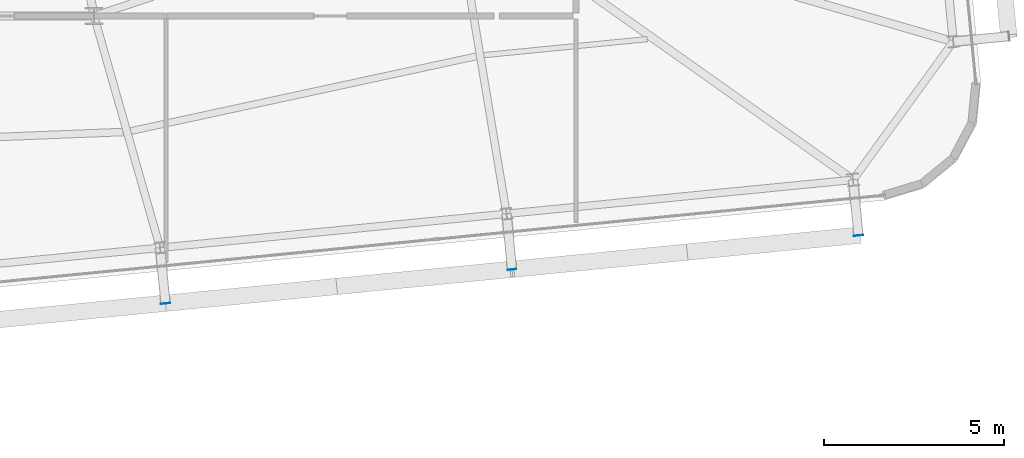
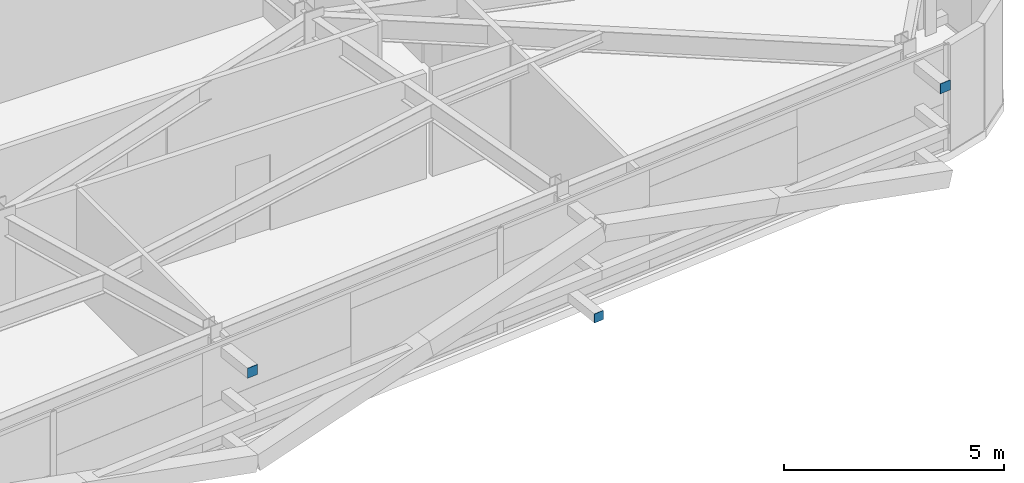
# One storey, part 36 of 47: 3 plates.
"""IFC4 building model written with IfcOpenShell, lengths in metres."""

from ifc_helpers import new_model, si_unit, direction, frame, origin, origin_2d, place, context, subcontext, project, spatial, rectangle, extrude, source, transform, mapped, material, layer, layer_set, type_object, element, save


model = new_model("IFC4")

# Units and contexts
model_context = context("Model", 3, precision=1e-05, world=origin(), true_north=direction((0.0, 1.0)))
body_context = subcontext(model_context, "Body", "Model", "MODEL_VIEW")
ifc_project = project(units=[si_unit("LENGTHUNIT", "METRE"), si_unit("AREAUNIT", "SQUARE_METRE"), si_unit("VOLUMEUNIT", "CUBIC_METRE"), si_unit("PLANEANGLEUNIT", "RADIAN"), si_unit("MASSUNIT", "GRAM", prefix="KILO")], contexts=[model_context])

# Site, building, storey
site_placement = place(None, origin())
site = spatial("IfcSite", under=ifc_project, at=site_placement, CompositionType="ELEMENT")
building_placement = place(site_placement, origin())
building = spatial("IfcBuilding", under=site, at=building_placement, Name="Taldren Reach Tower", CompositionType="ELEMENT")
storey_placement = place(building_placement, frame((0.0, 0.0, 90.300048828125)))
storey = spatial("IfcBuildingStorey", under=building, at=storey_placement, Name="L27", CompositionType="ELEMENT", Elevation=90.300048828125)

# Plates
ifc_material_1 = material(Name="Steel Gr 450 (C450L0)", Category="steel")
ifc_layer_1 = layer(ifc_material_1, 0.011962890625)
ifc_layer_set_1 = layer_set([ifc_layer_1], Name="Steel Gr 450 (C450L0)")
plate_type_1 = type_object("IfcPlateType", Name="PL-CAP-275", PredefinedType="SHEET", material=ifc_layer_set_1)
shared_shape_1 = source(origin(), body_context, "Body", "SweptSolid", [
    extrude(rectangle(XDim=0.27490234375, YDim=0.011962890625, at=origin_2d()), origin(), (0.0, 0.0, 1.0), 0.27490234375),
])
for number, where, z_axis, x_axis, name in (
    (1, (43.9873046875, 1.205322265625, 2.512451171875), (0.0, 0.0, 1.0), (0.995227399982, 0.097582899759, 0.0), "Tie strut end cap plate B2-S4 L27"),
    (2, (63.255126953125, 3.094482421875, 2.512451171875), (0.0, 0.0, 1.0), (0.995227399982, 0.097582899759, 0.0), "Tie strut end cap plate B2-S6 L27"),
):
    element("IfcPlate", number, at=place(storey_placement, frame(where, z_axis=z_axis, x_axis=x_axis)), inside=storey, type_object=plate_type_1, Name=name, PredefinedType="SHEET", context=body_context, shape_type="MappedRepresentation", body=[
        mapped(shared_shape_1, transform((0.0, 0.0, 0.0), scale=1.0)),
    ])
ifc_material_2 = material(Name="Steel Gr 350 (C350L0)", Category="steel")
ifc_layer_2 = layer(ifc_material_2, 0.011962890625)
ifc_layer_set_2 = layer_set([ifc_layer_2], Name="Steel Gr 350 (C350L0)")
plate_type_2 = type_object("IfcPlateType", Name="PL-CAP-250", PredefinedType="SHEET", material=ifc_layer_set_2)
shared_shape_2 = source(origin(), body_context, "Body", "SweptSolid", [
    extrude(rectangle(XDim=0.25, YDim=0.011962890625, at=origin_2d()), origin(), (0.0, 0.0, 1.0), 0.25),
])
plate_placement = place(storey_placement, frame((53.62109375, 2.14990234375, 0.094970703125), z_axis=(0.0, 0.0, 1.0), x_axis=(0.995227399982, 0.097582899759, 0.0)))
element("IfcPlate", 3, at=plate_placement, inside=storey, type_object=plate_type_2, Name="Tie strut end cap plate B2-S5 L27", PredefinedType="SHEET", context=body_context, shape_type="MappedRepresentation", body=[
    mapped(shared_shape_2, transform((0.0, 0.0, 0.0), scale=1.0)),
])

save(model, "model.ifc")
